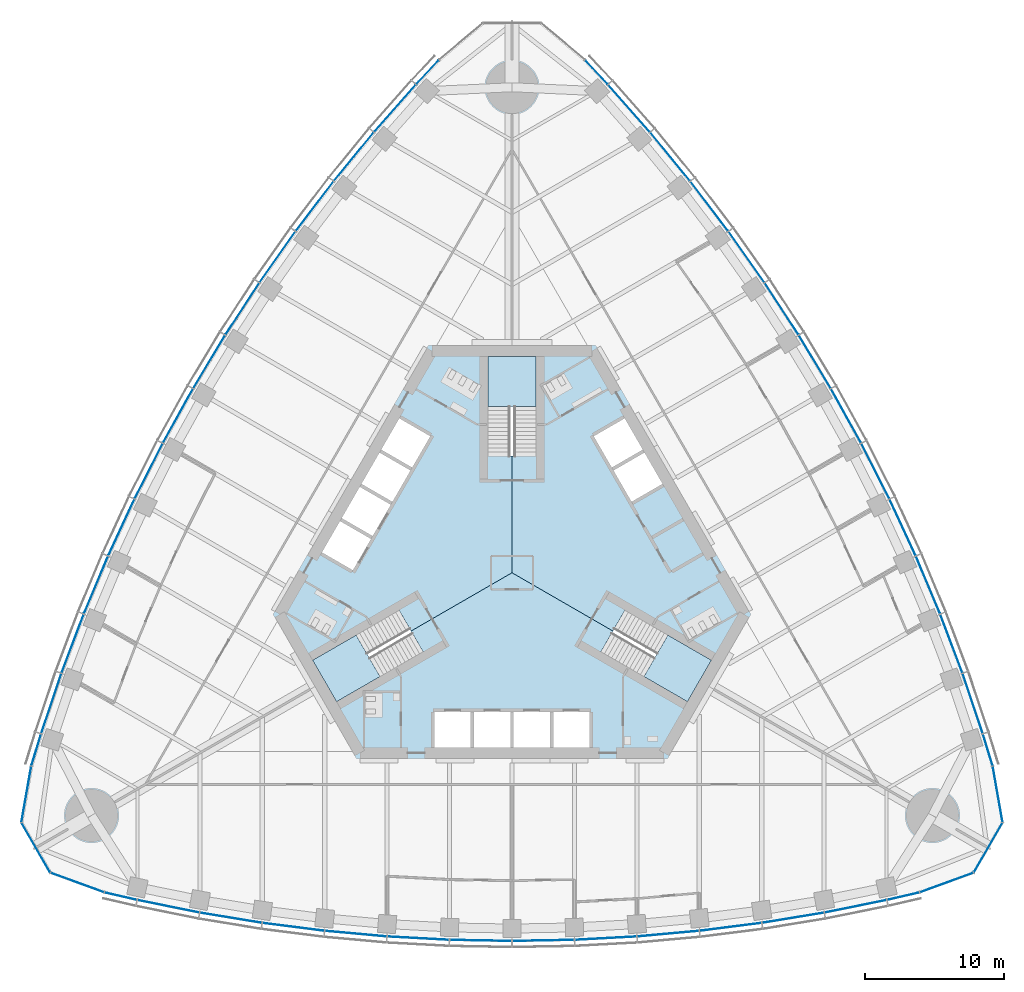
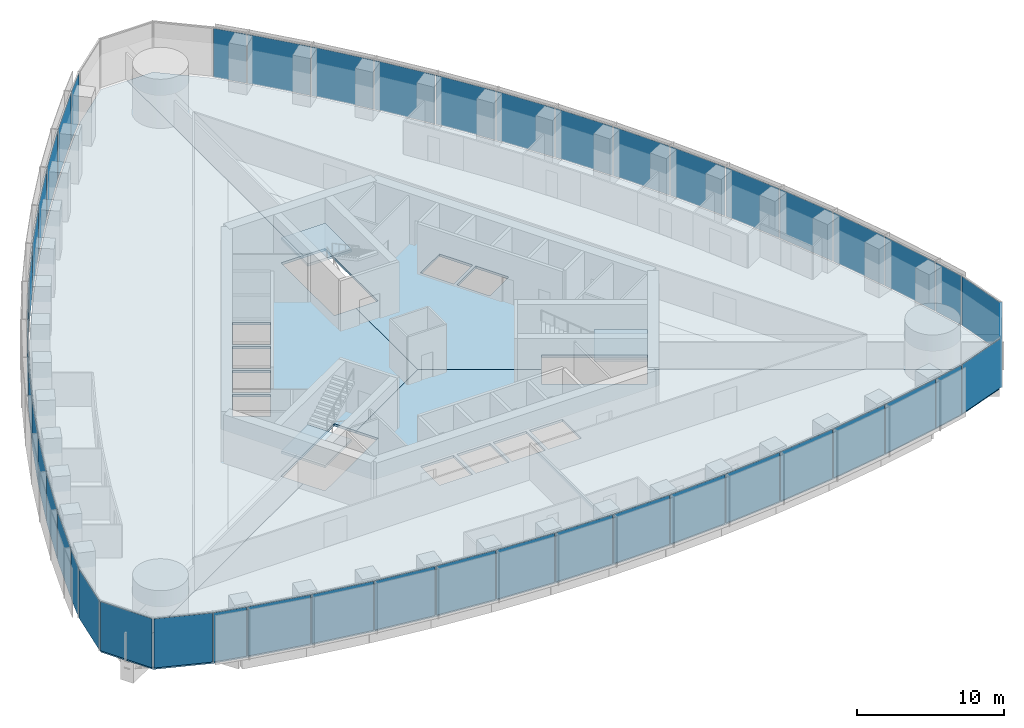
# One storey, part 10 of 19: 48 plates, 6 slabs, 8 elements without a shape of their own.
"""IFC4 building model written with IfcOpenShell, lengths in metres."""

from ifc_helpers import new_model, si_unit, direction, frame, origin, origin_2d, place, context, subcontext, project, spatial, polyline, rectangle, outline, extrude, material, layer, layer_set, type_object, element, aggregate, save


model = new_model("IFC4")

# Units and contexts
model_context = context("Model", 3, precision=1e-05, world=origin(), true_north=direction((0.0, 1.0)))
body_context = subcontext(model_context, "Body", "Model", "MODEL_VIEW")
ifc_project = project(units=[si_unit("LENGTHUNIT", "METRE"), si_unit("AREAUNIT", "SQUARE_METRE"), si_unit("VOLUMEUNIT", "CUBIC_METRE"), si_unit("PLANEANGLEUNIT", "RADIAN"), si_unit("MASSUNIT", "GRAM", prefix="KILO")], contexts=[model_context])

# Site, building, storey
site_placement = place(None, origin())
site = spatial("IfcSite", under=ifc_project, at=site_placement, CompositionType="ELEMENT")
building_placement = place(site_placement, origin())
building = spatial("IfcBuilding", under=site, at=building_placement, Name="Trefoil Bronze Tower", CompositionType="ELEMENT")
storey_placement = place(building_placement, frame((0.0, 0.0, 119.89990234375)))
storey = spatial("IfcBuildingStorey", under=building, at=storey_placement, Name="L27", CompositionType="ELEMENT", Elevation=119.89990234375)

# Curtain wall, plates
ifc_material_1 = material(Name="Tinted solar-control glass", Category="glass")
curtain_wall_type_1 = type_object("IfcCurtainWallType", Name="Bronze office curtain wall", PredefinedType="USERDEFINED", material=ifc_material_1)
curtain_wall_1_placement = place(storey_placement, origin())
curtain_wall_1 = element("IfcCurtainWall", 1, at=curtain_wall_1_placement, inside=storey, type_object=curtain_wall_type_1, Name="CW-A L27 F1", ObjectType="CURTAIN WALL", PredefinedType="USERDEFINED")
ifc_material_2 = material(Name="Tinted solar-control glass", Category="glass")
ifc_layer_1 = layer(ifc_material_2, 0.030029296875)
ifc_layer_set_1 = layer_set([ifc_layer_1], Name="Bronze office curtain wall glass panel")
plate_type_1 = type_object("IfcPlateType", Name="Bronze office curtain wall glass panel", PredefinedType="CURTAIN_PANEL", material=ifc_layer_set_1)
plate_1_placement = place(storey_placement, frame((-28.201416015625, -23.320068359375, 0.0), z_axis=(0.0, 0.0, 1.0), x_axis=(0.97420444715, -0.225667222151, 0.0)))
plate_1 = element("IfcPlate", 2, at=plate_1_placement, type_object=plate_type_1, Name="CW-A L27 F1 panel 1", PredefinedType="CURTAIN_PANEL", context=body_context, shape_type="SweptSolid", body=[
    extrude(rectangle(XDim=2.340087890625, YDim=0.030029296875, at=origin_2d()), origin(), (0.0, 0.0, 1.0), 4.080078125),
])
plate_2_placement = place(storey_placement, frame((-24.769775390625, -24.048828125, 0.0), z_axis=(0.0, 0.0, 1.0), x_axis=(0.980155155547, -0.198231861853, 0.0)))
plate_2 = element("IfcPlate", 3, at=plate_2_placement, type_object=plate_type_1, Name="CW-A L27 F1 panel 2", PredefinedType="CURTAIN_PANEL", context=body_context, shape_type="SweptSolid", body=[
    extrude(rectangle(XDim=4.51123046875, YDim=0.030029296875, at=origin_2d()), origin(), (0.0, 0.0, 1.0), 4.080078125),
])
plate_3_placement = place(storey_placement, frame((-20.26611328125, -24.87451171875, 0.0), z_axis=(0.0, 0.0, 1.0), x_axis=(0.986759655731, -0.162189339418, 0.0)))
plate_3 = element("IfcPlate", 4, at=plate_3_placement, type_object=plate_type_1, Name="CW-A L27 F1 panel 3", PredefinedType="CURTAIN_PANEL", context=body_context, shape_type="SweptSolid", body=[
    extrude(rectangle(XDim=4.48046875, YDim=0.030029296875, at=origin_2d()), origin(), (0.0, 0.0, 1.0), 4.080078125),
])
plate_4_placement = place(storey_placement, frame((-15.7626953125, -25.53076171875, 0.0), z_axis=(0.0, 0.0, 1.0), x_axis=(0.992011554286, -0.126147041833, 0.0)))
plate_4 = element("IfcPlate", 5, at=plate_4_placement, type_object=plate_type_1, Name="CW-A L27 F1 panel 4", PredefinedType="CURTAIN_PANEL", context=body_context, shape_type="SweptSolid", body=[
    extrude(rectangle(XDim=4.456298828125, YDim=0.030029296875, at=origin_2d()), origin(), (0.0, 0.0, 1.0), 4.080078125),
])
plate_5_placement = place(storey_placement, frame((-11.259033203125, -26.02099609375, 0.0), z_axis=(0.0, 0.0, 1.0), x_axis=(0.995932279146, -0.090104913044, 0.0)))
plate_5 = element("IfcPlate", 6, at=plate_5_placement, type_object=plate_type_1, Name="CW-A L27 F1 panel 5", PredefinedType="CURTAIN_PANEL", context=body_context, shape_type="SweptSolid", body=[
    extrude(rectangle(XDim=4.4384765625, YDim=0.030029296875, at=origin_2d()), origin(), (0.0, 0.0, 1.0), 4.080078125),
])
plate_6_placement = place(storey_placement, frame((-6.75537109375, -26.3466796875, 0.0), z_axis=(0.0, 0.0, 1.0), x_axis=(0.998537531923, -0.054062901701, 0.0)))
plate_6 = element("IfcPlate", 7, at=plate_6_placement, type_object=plate_type_1, Name="CW-A L27 F1 panel 6", PredefinedType="CURTAIN_PANEL", context=body_context, shape_type="SweptSolid", body=[
    extrude(rectangle(XDim=4.426513671875, YDim=0.030029296875, at=origin_2d()), origin(), (0.0, 0.0, 1.0), 4.080078125),
])
plate_7_placement = place(storey_placement, frame((-2.251708984375, -26.509033203125, 0.0), z_axis=(0.0, 0.0, 1.0), x_axis=(0.999837609322, -0.018020959612, 0.0)))
plate_7 = element("IfcPlate", 8, at=plate_7_placement, type_object=plate_type_1, Name="CW-A L27 F1 panel 7", PredefinedType="CURTAIN_PANEL", context=body_context, shape_type="SweptSolid", body=[
    extrude(rectangle(XDim=4.420654296875, YDim=0.030029296875, at=origin_2d()), origin(), (0.0, 0.0, 1.0), 4.080078125),
])
plate_8_placement = place(storey_placement, frame((2.251708984375, -26.509033203125, 0.0), z_axis=(0.0, 0.0, 1.0), x_axis=(0.999837609322, 0.018020959612, 0.0)))
plate_8 = element("IfcPlate", 9, at=plate_8_placement, type_object=plate_type_1, Name="CW-A L27 F1 panel 8", PredefinedType="CURTAIN_PANEL", context=body_context, shape_type="SweptSolid", body=[
    extrude(rectangle(XDim=4.420654296875, YDim=0.030029296875, at=origin_2d()), origin(), (0.0, 0.0, 1.0), 4.080078125),
])
plate_9_placement = place(storey_placement, frame((6.75537109375, -26.3466796875, 0.0), z_axis=(0.0, 0.0, 1.0), x_axis=(0.998537531923, 0.054062901701, 0.0)))
plate_9 = element("IfcPlate", 10, at=plate_9_placement, type_object=plate_type_1, Name="CW-A L27 F1 panel 9", PredefinedType="CURTAIN_PANEL", context=body_context, shape_type="SweptSolid", body=[
    extrude(rectangle(XDim=4.426513671875, YDim=0.030029296875, at=origin_2d()), origin(), (0.0, 0.0, 1.0), 4.080078125),
])
plate_10_placement = place(storey_placement, frame((11.259033203125, -26.02099609375, 0.0), z_axis=(0.0, 0.0, 1.0), x_axis=(0.995932279146, 0.090104913044, 0.0)))
plate_10 = element("IfcPlate", 11, at=plate_10_placement, type_object=plate_type_1, Name="CW-A L27 F1 panel 10", PredefinedType="CURTAIN_PANEL", context=body_context, shape_type="SweptSolid", body=[
    extrude(rectangle(XDim=4.4384765625, YDim=0.030029296875, at=origin_2d()), origin(), (0.0, 0.0, 1.0), 4.080078125),
])
plate_11_placement = place(storey_placement, frame((15.7626953125, -25.53076171875, 0.0), z_axis=(0.0, 0.0, 1.0), x_axis=(0.992011554286, 0.126147041833, 0.0)))
plate_11 = element("IfcPlate", 12, at=plate_11_placement, type_object=plate_type_1, Name="CW-A L27 F1 panel 11", PredefinedType="CURTAIN_PANEL", context=body_context, shape_type="SweptSolid", body=[
    extrude(rectangle(XDim=4.456298828125, YDim=0.030029296875, at=origin_2d()), origin(), (0.0, 0.0, 1.0), 4.080078125),
])
plate_12_placement = place(storey_placement, frame((20.26611328125, -24.87451171875, 0.0), z_axis=(0.0, 0.0, 1.0), x_axis=(0.986759655731, 0.162189339418, 0.0)))
plate_12 = element("IfcPlate", 13, at=plate_12_placement, type_object=plate_type_1, Name="CW-A L27 F1 panel 12", PredefinedType="CURTAIN_PANEL", context=body_context, shape_type="SweptSolid", body=[
    extrude(rectangle(XDim=4.48046875, YDim=0.030029296875, at=origin_2d()), origin(), (0.0, 0.0, 1.0), 4.080078125),
])
plate_13_placement = place(storey_placement, frame((24.769775390625, -24.048828125, 0.0), z_axis=(0.0, 0.0, 1.0), x_axis=(0.980155155547, 0.198231861853, 0.0)))
plate_13 = element("IfcPlate", 14, at=plate_13_placement, type_object=plate_type_1, Name="CW-A L27 F1 panel 13", PredefinedType="CURTAIN_PANEL", context=body_context, shape_type="SweptSolid", body=[
    extrude(rectangle(XDim=4.51123046875, YDim=0.030029296875, at=origin_2d()), origin(), (0.0, 0.0, 1.0), 4.080078125),
])
plate_14_placement = place(storey_placement, frame((28.201416015625, -23.320068359375, 0.0), z_axis=(0.0, 0.0, 1.0), x_axis=(0.97420444715, 0.225667222151, 0.0)))
plate_14 = element("IfcPlate", 15, at=plate_14_placement, type_object=plate_type_1, Name="CW-A L27 F1 panel 14", PredefinedType="CURTAIN_PANEL", context=body_context, shape_type="SweptSolid", body=[
    extrude(rectangle(XDim=2.340087890625, YDim=0.030029296875, at=origin_2d()), origin(), (0.0, 0.0, 1.0), 4.080078125),
])
aggregate(curtain_wall_1, [plate_1, plate_2, plate_3, plate_4, plate_5, plate_6, plate_7, plate_8, plate_9, plate_10, plate_11, plate_12, plate_13, plate_14])

curtain_wall_2_placement = place(storey_placement, origin())
curtain_wall_2 = element("IfcCurtainWall", 16, at=curtain_wall_2_placement, inside=storey, type_object=curtain_wall_type_1, Name="CW-A L27 F2", ObjectType="CURTAIN WALL", PredefinedType="USERDEFINED")
plate_15_placement = place(storey_placement, frame((34.296630859375, -12.762939453125, 0.0), z_axis=(0.0, 0.0, 1.0), x_axis=(-0.291668676391, 0.956519410787, 0.0)))
plate_15 = element("IfcPlate", 17, at=plate_15_placement, type_object=plate_type_1, Name="CW-A L27 F2 panel 1", PredefinedType="CURTAIN_PANEL", context=body_context, shape_type="SweptSolid", body=[
    extrude(rectangle(XDim=2.340087890625, YDim=0.030029296875, at=origin_2d()), origin(), (0.0, 0.0, 1.0), 4.080078125),
])
plate_16_placement = place(storey_placement, frame((33.2119140625, -9.4267578125, 0.0), z_axis=(0.0, 0.0, 1.0), x_axis=(-0.318403749569, 0.947955195281, 0.0)))
plate_16 = element("IfcPlate", 18, at=plate_16_placement, type_object=plate_type_1, Name="CW-A L27 F2 panel 2", PredefinedType="CURTAIN_PANEL", context=body_context, shape_type="SweptSolid", body=[
    extrude(rectangle(XDim=4.51123046875, YDim=0.030029296875, at=origin_2d()), origin(), (0.0, 0.0, 1.0), 4.080078125),
])
plate_17_placement = place(storey_placement, frame((31.675048828125, -5.11376953125, 0.0), z_axis=(0.0, 0.0, 1.0), x_axis=(-0.352919739707, 0.935653599002, 0.0)))
plate_17 = element("IfcPlate", 19, at=plate_17_placement, type_object=plate_type_1, Name="CW-A L27 F2 panel 3", PredefinedType="CURTAIN_PANEL", context=body_context, shape_type="SweptSolid", body=[
    extrude(rectangle(XDim=4.48046875, YDim=0.030029296875, at=origin_2d()), origin(), (0.0, 0.0, 1.0), 4.080078125),
])
plate_18_placement = place(storey_placement, frame((29.99169921875, -0.885498046875, 0.0), z_axis=(0.0, 0.0, 1.0), x_axis=(-0.386759234303, 0.922180727776, 0.0)))
plate_18 = element("IfcPlate", 20, at=plate_18_placement, type_object=plate_type_1, Name="CW-A L27 F2 panel 4", PredefinedType="CURTAIN_PANEL", context=body_context, shape_type="SweptSolid", body=[
    extrude(rectangle(XDim=4.456298828125, YDim=0.030029296875, at=origin_2d()), origin(), (0.0, 0.0, 1.0), 4.080078125),
])
plate_19_placement = place(storey_placement, frame((28.164306640625, 3.260009765625, 0.0), z_axis=(0.0, 0.0, 1.0), x_axis=(-0.419932995871, 0.907555110712, 0.0)))
plate_19 = element("IfcPlate", 21, at=plate_19_placement, type_object=plate_type_1, Name="CW-A L27 F2 panel 5", PredefinedType="CURTAIN_PANEL", context=body_context, shape_type="SweptSolid", body=[
    extrude(rectangle(XDim=4.4384765625, YDim=0.030029296875, at=origin_2d()), origin(), (0.0, 0.0, 1.0), 4.080078125),
])
plate_20_placement = place(storey_placement, frame((26.194580078125, 7.322998046875, 0.0), z_axis=(0.0, 0.0, 1.0), x_axis=(-0.452448919686, 0.891790320128, 0.0)))
plate_20 = element("IfcPlate", 22, at=plate_20_placement, type_object=plate_type_1, Name="CW-A L27 F2 panel 6", PredefinedType="CURTAIN_PANEL", context=body_context, shape_type="SweptSolid", body=[
    extrude(rectangle(XDim=4.426513671875, YDim=0.030029296875, at=origin_2d()), origin(), (0.0, 0.0, 1.0), 4.080078125),
])
plate_21_placement = place(storey_placement, frame((24.08349609375, 11.304443359375, 0.0), z_axis=(0.0, 0.0, 1.0), x_axis=(-0.484312195836, 0.874895249138, 0.0)))
plate_21 = element("IfcPlate", 23, at=plate_21_placement, type_object=plate_type_1, Name="CW-A L27 F2 panel 7", PredefinedType="CURTAIN_PANEL", context=body_context, shape_type="SweptSolid", body=[
    extrude(rectangle(XDim=4.420654296875, YDim=0.030029296875, at=origin_2d()), origin(), (0.0, 0.0, 1.0), 4.080078125),
])
plate_22_placement = place(storey_placement, frame((21.83154296875, 15.20458984375, 0.0), z_axis=(0.0, 0.0, 1.0), x_axis=(-0.515525413486, 0.856874289526, 0.0)))
plate_22 = element("IfcPlate", 24, at=plate_22_placement, type_object=plate_type_1, Name="CW-A L27 F2 panel 8", PredefinedType="CURTAIN_PANEL", context=body_context, shape_type="SweptSolid", body=[
    extrude(rectangle(XDim=4.420654296875, YDim=0.030029296875, at=origin_2d()), origin(), (0.0, 0.0, 1.0), 4.080078125),
])
plate_23_placement = place(storey_placement, frame((19.439208984375, 19.023681640625, 0.0), z_axis=(0.0, 0.0, 1.0), x_axis=(-0.546088612237, 0.837727418427, 0.0)))
plate_23 = element("IfcPlate", 25, at=plate_23_placement, type_object=plate_type_1, Name="CW-A L27 F2 panel 9", PredefinedType="CURTAIN_PANEL", context=body_context, shape_type="SweptSolid", body=[
    extrude(rectangle(XDim=4.426513671875, YDim=0.030029296875, at=origin_2d()), origin(), (0.0, 0.0, 1.0), 4.080078125),
])
plate_24_placement = place(storey_placement, frame((16.9052734375, 22.760986328125, 0.0), z_axis=(0.0, 0.0, 1.0), x_axis=(-0.575999283275, 0.817450197667, 0.0)))
plate_24 = element("IfcPlate", 26, at=plate_24_placement, type_object=plate_type_1, Name="CW-A L27 F2 panel 10", PredefinedType="CURTAIN_PANEL", context=body_context, shape_type="SweptSolid", body=[
    extrude(rectangle(XDim=4.4384765625, YDim=0.030029296875, at=origin_2d()), origin(), (0.0, 0.0, 1.0), 4.080078125),
])
plate_25_placement = place(storey_placement, frame((14.22900390625, 26.416259765625, 0.0), z_axis=(0.0, 0.0, 1.0), x_axis=(-0.605252319983, 0.796033685943, 0.0)))
plate_25 = element("IfcPlate", 27, at=plate_25_placement, type_object=plate_type_1, Name="CW-A L27 F2 panel 11", PredefinedType="CURTAIN_PANEL", context=body_context, shape_type="SweptSolid", body=[
    extrude(rectangle(XDim=4.456298828125, YDim=0.030029296875, at=origin_2d()), origin(), (0.0, 0.0, 1.0), 4.080078125),
])
plate_26_placement = place(storey_placement, frame((11.40869140625, 29.98828125, 0.0), z_axis=(0.0, 0.0, 1.0), x_axis=(-0.633839916024, 0.773464259584, 0.0)))
plate_26 = element("IfcPlate", 28, at=plate_26_placement, type_object=plate_type_1, Name="CW-A L27 F2 panel 12", PredefinedType="CURTAIN_PANEL", context=body_context, shape_type="SweptSolid", body=[
    extrude(rectangle(XDim=4.48046875, YDim=0.030029296875, at=origin_2d()), origin(), (0.0, 0.0, 1.0), 4.080078125),
])
plate_27_placement = place(storey_placement, frame((8.442138671875, 33.475830078125, 0.0), z_axis=(0.0, 0.0, 1.0), x_axis=(-0.661751405978, 0.749723333428, 0.0)))
plate_27 = element("IfcPlate", 29, at=plate_27_placement, type_object=plate_type_1, Name="CW-A L27 F2 panel 13", PredefinedType="CURTAIN_PANEL", context=body_context, shape_type="SweptSolid", body=[
    extrude(rectangle(XDim=4.51123046875, YDim=0.030029296875, at=origin_2d()), origin(), (0.0, 0.0, 1.0), 4.080078125),
])
plate_28_placement = place(storey_placement, frame((6.09521484375, 36.083251953125, 0.0), z_axis=(0.0, 0.0, 1.0), x_axis=(-0.682535770759, 0.730852188636, 0.0)))
plate_28 = element("IfcPlate", 30, at=plate_28_placement, type_object=plate_type_1, Name="CW-A L27 F2 panel 14", PredefinedType="CURTAIN_PANEL", context=body_context, shape_type="SweptSolid", body=[
    extrude(rectangle(XDim=2.340087890625, YDim=0.030029296875, at=origin_2d()), origin(), (0.0, 0.0, 1.0), 4.080078125),
])
aggregate(curtain_wall_2, [plate_15, plate_16, plate_17, plate_18, plate_19, plate_20, plate_21, plate_22, plate_23, plate_24, plate_25, plate_26, plate_27, plate_28])

curtain_wall_3_placement = place(storey_placement, origin())
curtain_wall_3 = element("IfcCurtainWall", 31, at=curtain_wall_3_placement, inside=storey, type_object=curtain_wall_type_1, Name="CW-A L27 F3", ObjectType="CURTAIN WALL", PredefinedType="USERDEFINED")
plate_29_placement = place(storey_placement, frame((-6.09521484375, 36.083251953125, 0.0), z_axis=(0.0, 0.0, 1.0), x_axis=(-0.682535770759, -0.730852188636, 0.0)))
plate_29 = element("IfcPlate", 32, at=plate_29_placement, type_object=plate_type_1, Name="CW-A L27 F3 panel 1", PredefinedType="CURTAIN_PANEL", context=body_context, shape_type="SweptSolid", body=[
    extrude(rectangle(XDim=2.340087890625, YDim=0.030029296875, at=origin_2d()), origin(), (0.0, 0.0, 1.0), 4.080078125),
])
plate_30_placement = place(storey_placement, frame((-8.442138671875, 33.475830078125, 0.0), z_axis=(0.0, 0.0, 1.0), x_axis=(-0.661751405978, -0.749723333428, 0.0)))
plate_30 = element("IfcPlate", 33, at=plate_30_placement, type_object=plate_type_1, Name="CW-A L27 F3 panel 2", PredefinedType="CURTAIN_PANEL", context=body_context, shape_type="SweptSolid", body=[
    extrude(rectangle(XDim=4.51123046875, YDim=0.030029296875, at=origin_2d()), origin(), (0.0, 0.0, 1.0), 4.080078125),
])
plate_31_placement = place(storey_placement, frame((-11.40869140625, 29.98828125, 0.0), z_axis=(0.0, 0.0, 1.0), x_axis=(-0.633839916024, -0.773464259584, 0.0)))
plate_31 = element("IfcPlate", 34, at=plate_31_placement, type_object=plate_type_1, Name="CW-A L27 F3 panel 3", PredefinedType="CURTAIN_PANEL", context=body_context, shape_type="SweptSolid", body=[
    extrude(rectangle(XDim=4.48046875, YDim=0.030029296875, at=origin_2d()), origin(), (0.0, 0.0, 1.0), 4.080078125),
])
plate_32_placement = place(storey_placement, frame((-14.22900390625, 26.416259765625, 0.0), z_axis=(0.0, 0.0, 1.0), x_axis=(-0.605252319983, -0.796033685943, 0.0)))
plate_32 = element("IfcPlate", 35, at=plate_32_placement, type_object=plate_type_1, Name="CW-A L27 F3 panel 4", PredefinedType="CURTAIN_PANEL", context=body_context, shape_type="SweptSolid", body=[
    extrude(rectangle(XDim=4.456298828125, YDim=0.030029296875, at=origin_2d()), origin(), (0.0, 0.0, 1.0), 4.080078125),
])
plate_33_placement = place(storey_placement, frame((-16.9052734375, 22.760986328125, 0.0), z_axis=(0.0, 0.0, 1.0), x_axis=(-0.575999283275, -0.817450197667, 0.0)))
plate_33 = element("IfcPlate", 36, at=plate_33_placement, type_object=plate_type_1, Name="CW-A L27 F3 panel 5", PredefinedType="CURTAIN_PANEL", context=body_context, shape_type="SweptSolid", body=[
    extrude(rectangle(XDim=4.4384765625, YDim=0.030029296875, at=origin_2d()), origin(), (0.0, 0.0, 1.0), 4.080078125),
])
plate_34_placement = place(storey_placement, frame((-19.439208984375, 19.023681640625, 0.0), z_axis=(0.0, 0.0, 1.0), x_axis=(-0.546088612237, -0.837727418427, 0.0)))
plate_34 = element("IfcPlate", 37, at=plate_34_placement, type_object=plate_type_1, Name="CW-A L27 F3 panel 6", PredefinedType="CURTAIN_PANEL", context=body_context, shape_type="SweptSolid", body=[
    extrude(rectangle(XDim=4.426513671875, YDim=0.030029296875, at=origin_2d()), origin(), (0.0, 0.0, 1.0), 4.080078125),
])
plate_35_placement = place(storey_placement, frame((-21.83154296875, 15.20458984375, 0.0), z_axis=(0.0, 0.0, 1.0), x_axis=(-0.515525413486, -0.856874289526, 0.0)))
plate_35 = element("IfcPlate", 38, at=plate_35_placement, type_object=plate_type_1, Name="CW-A L27 F3 panel 7", PredefinedType="CURTAIN_PANEL", context=body_context, shape_type="SweptSolid", body=[
    extrude(rectangle(XDim=4.420654296875, YDim=0.030029296875, at=origin_2d()), origin(), (0.0, 0.0, 1.0), 4.080078125),
])
plate_36_placement = place(storey_placement, frame((-24.08349609375, 11.304443359375, 0.0), z_axis=(0.0, 0.0, 1.0), x_axis=(-0.484312195836, -0.874895249138, 0.0)))
plate_36 = element("IfcPlate", 39, at=plate_36_placement, type_object=plate_type_1, Name="CW-A L27 F3 panel 8", PredefinedType="CURTAIN_PANEL", context=body_context, shape_type="SweptSolid", body=[
    extrude(rectangle(XDim=4.420654296875, YDim=0.030029296875, at=origin_2d()), origin(), (0.0, 0.0, 1.0), 4.080078125),
])
plate_37_placement = place(storey_placement, frame((-26.194580078125, 7.322998046875, 0.0), z_axis=(0.0, 0.0, 1.0), x_axis=(-0.452448919686, -0.891790320128, 0.0)))
plate_37 = element("IfcPlate", 40, at=plate_37_placement, type_object=plate_type_1, Name="CW-A L27 F3 panel 9", PredefinedType="CURTAIN_PANEL", context=body_context, shape_type="SweptSolid", body=[
    extrude(rectangle(XDim=4.426513671875, YDim=0.030029296875, at=origin_2d()), origin(), (0.0, 0.0, 1.0), 4.080078125),
])
plate_38_placement = place(storey_placement, frame((-28.164306640625, 3.260009765625, 0.0), z_axis=(0.0, 0.0, 1.0), x_axis=(-0.419932995871, -0.907555110712, 0.0)))
plate_38 = element("IfcPlate", 41, at=plate_38_placement, type_object=plate_type_1, Name="CW-A L27 F3 panel 10", PredefinedType="CURTAIN_PANEL", context=body_context, shape_type="SweptSolid", body=[
    extrude(rectangle(XDim=4.4384765625, YDim=0.030029296875, at=origin_2d()), origin(), (0.0, 0.0, 1.0), 4.080078125),
])
plate_39_placement = place(storey_placement, frame((-29.99169921875, -0.885498046875, 0.0), z_axis=(0.0, 0.0, 1.0), x_axis=(-0.386759234303, -0.922180727776, 0.0)))
plate_39 = element("IfcPlate", 42, at=plate_39_placement, type_object=plate_type_1, Name="CW-A L27 F3 panel 11", PredefinedType="CURTAIN_PANEL", context=body_context, shape_type="SweptSolid", body=[
    extrude(rectangle(XDim=4.456298828125, YDim=0.030029296875, at=origin_2d()), origin(), (0.0, 0.0, 1.0), 4.080078125),
])
plate_40_placement = place(storey_placement, frame((-31.675048828125, -5.11376953125, 0.0), z_axis=(0.0, 0.0, 1.0), x_axis=(-0.352919739707, -0.935653599002, 0.0)))
plate_40 = element("IfcPlate", 43, at=plate_40_placement, type_object=plate_type_1, Name="CW-A L27 F3 panel 12", PredefinedType="CURTAIN_PANEL", context=body_context, shape_type="SweptSolid", body=[
    extrude(rectangle(XDim=4.48046875, YDim=0.030029296875, at=origin_2d()), origin(), (0.0, 0.0, 1.0), 4.080078125),
])
plate_41_placement = place(storey_placement, frame((-33.2119140625, -9.4267578125, 0.0), z_axis=(0.0, 0.0, 1.0), x_axis=(-0.318403749569, -0.947955195281, 0.0)))
plate_41 = element("IfcPlate", 44, at=plate_41_placement, type_object=plate_type_1, Name="CW-A L27 F3 panel 13", PredefinedType="CURTAIN_PANEL", context=body_context, shape_type="SweptSolid", body=[
    extrude(rectangle(XDim=4.51123046875, YDim=0.030029296875, at=origin_2d()), origin(), (0.0, 0.0, 1.0), 4.080078125),
])
plate_42_placement = place(storey_placement, frame((-34.296630859375, -12.762939453125, 0.0), z_axis=(0.0, 0.0, 1.0), x_axis=(-0.291668676391, -0.956519410787, 0.0)))
plate_42 = element("IfcPlate", 45, at=plate_42_placement, type_object=plate_type_1, Name="CW-A L27 F3 panel 14", PredefinedType="CURTAIN_PANEL", context=body_context, shape_type="SweptSolid", body=[
    extrude(rectangle(XDim=2.340087890625, YDim=0.030029296875, at=origin_2d()), origin(), (0.0, 0.0, 1.0), 4.080078125),
])
aggregate(curtain_wall_3, [plate_29, plate_30, plate_31, plate_32, plate_33, plate_34, plate_35, plate_36, plate_37, plate_38, plate_39, plate_40, plate_41, plate_42])

ifc_material_3 = material(Name="Tinted solar-control glass", Category="glass")
curtain_wall_type_2 = type_object("IfcCurtainWallType", Name="Bronze rounded corner curtain wall", PredefinedType="USERDEFINED", material=ifc_material_3)
curtain_wall_4_placement = place(storey_placement, origin())
curtain_wall_4 = element("IfcCurtainWall", 46, at=curtain_wall_4_placement, inside=storey, type_object=curtain_wall_type_2, Name="CW-B L27 K1", ObjectType="CURTAIN WALL", PredefinedType="USERDEFINED")
ifc_material_4 = material(Name="Tinted solar-control glass", Category="glass")
ifc_layer_2 = layer(ifc_material_4, 0.030029296875)
ifc_layer_set_2 = layer_set([ifc_layer_2], Name="Bronze rounded corner curtain wall glass panel")
plate_type_2 = type_object("IfcPlateType", Name="Bronze rounded corner curtain wall glass panel", PredefinedType="CURTAIN_PANEL", material=ifc_layer_set_2)
plate_43_placement = place(storey_placement, frame((31.3203125, -22.341796875, 0.0), z_axis=(0.0, 0.0, 1.0), x_axis=(0.939692620786, 0.342020143326, 0.0)))
plate_43 = element("IfcPlate", 47, at=plate_43_placement, type_object=plate_type_2, Name="CW-B L27 K1 panel 1", PredefinedType="CURTAIN_PANEL", context=body_context, shape_type="SweptSolid", body=[
    extrude(rectangle(XDim=4.044189453125, YDim=0.030029296875, at=origin_2d()), origin(), (0.0, 0.0, 1.0), 4.080078125),
])
plate_44_placement = place(storey_placement, frame((34.3271484375, -19.81884765625, 0.0), z_axis=(0.0, 0.0, 1.0), x_axis=(0.5, 0.866025403784, 0.0)))
plate_44 = element("IfcPlate", 48, at=plate_44_placement, type_object=plate_type_2, Name="CW-B L27 K1 panel 2", PredefinedType="CURTAIN_PANEL", context=body_context, shape_type="SweptSolid", body=[
    extrude(rectangle(XDim=4.044189453125, YDim=0.030029296875, at=origin_2d()), origin(), (0.0, 0.0, 1.0), 4.080078125),
])
plate_45_placement = place(storey_placement, frame((35.0087890625, -15.953369140625, 0.0), z_axis=(0.0, 0.0, 1.0), x_axis=(-0.173648177667, 0.984807753012, 0.0)))
plate_45 = element("IfcPlate", 49, at=plate_45_placement, type_object=plate_type_2, Name="CW-B L27 K1 panel 3", PredefinedType="CURTAIN_PANEL", context=body_context, shape_type="SweptSolid", body=[
    extrude(rectangle(XDim=4.044189453125, YDim=0.030029296875, at=origin_2d()), origin(), (0.0, 0.0, 1.0), 4.080078125),
])
aggregate(curtain_wall_4, [plate_43, plate_44, plate_45])

curtain_wall_5_placement = place(storey_placement, origin())
curtain_wall_5 = element("IfcCurtainWall", 50, at=curtain_wall_5_placement, inside=storey, type_object=curtain_wall_type_2, Name="CW-B L27 K3", ObjectType="CURTAIN WALL", PredefinedType="USERDEFINED")
plate_46_placement = place(storey_placement, frame((-35.0087890625, -15.953369140625, 0.0), z_axis=(0.0, 0.0, 1.0), x_axis=(-0.173648177667, -0.984807753012, 0.0)))
plate_46 = element("IfcPlate", 51, at=plate_46_placement, type_object=plate_type_2, Name="CW-B L27 K3 panel 1", PredefinedType="CURTAIN_PANEL", context=body_context, shape_type="SweptSolid", body=[
    extrude(rectangle(XDim=4.044189453125, YDim=0.030029296875, at=origin_2d()), origin(), (0.0, 0.0, 1.0), 4.080078125),
])
plate_47_placement = place(storey_placement, frame((-34.3271484375, -19.81884765625, 0.0), z_axis=(0.0, 0.0, 1.0), x_axis=(0.5, -0.866025403784, 0.0)))
plate_47 = element("IfcPlate", 52, at=plate_47_placement, type_object=plate_type_2, Name="CW-B L27 K3 panel 2", PredefinedType="CURTAIN_PANEL", context=body_context, shape_type="SweptSolid", body=[
    extrude(rectangle(XDim=4.044189453125, YDim=0.030029296875, at=origin_2d()), origin(), (0.0, 0.0, 1.0), 4.080078125),
])
plate_48_placement = place(storey_placement, frame((-31.3203125, -22.341796875, 0.0), z_axis=(0.0, 0.0, 1.0), x_axis=(0.939692620786, -0.342020143326, 0.0)))
plate_48 = element("IfcPlate", 53, at=plate_48_placement, type_object=plate_type_2, Name="CW-B L27 K3 panel 3", PredefinedType="CURTAIN_PANEL", context=body_context, shape_type="SweptSolid", body=[
    extrude(rectangle(XDim=4.044189453125, YDim=0.030029296875, at=origin_2d()), origin(), (0.0, 0.0, 1.0), 4.080078125),
])
aggregate(curtain_wall_5, [plate_46, plate_47, plate_48])

# Slabs
ifc_material_5 = material(Name="Concrete B30", Category="concrete")
ifc_layer_3 = layer(ifc_material_5, 0.199951171875)
ifc_layer_set_3 = layer_set([ifc_layer_3], Name="Floor slab 200")
slab_type_1 = type_object("IfcSlabType", Name="Floor slab 200", PredefinedType="FLOOR", material=ifc_layer_set_3)
slab_1_placement = place(storey_placement, frame((0.0, 0.0, -0.199951171875)))
element("IfcSlab", 54, at=slab_1_placement, inside=storey, type_object=slab_type_1, Name="Floor slab L27 face 1", PredefinedType="FLOOR", context=body_context, shape_type="SweptSolid", body=[
    extrude(outline(polyline([(22.5, -24.406005859375), (18.0, -25.1455078125), (13.5, -25.7177734375), (9.0, -26.125), (4.5, -26.36865234375), (0.0, -26.44970703125), (-4.5, -26.36865234375), (-9.0, -26.125), (-13.5, -25.7177734375), (-18.0, -25.1455078125), (-22.5, -24.406005859375), (-27.0, -23.495849609375), (-29.357666015625, -22.94970703125), (-33.21435546875, -21.5458984375), (-34.240478515625, -19.768798828125), (-13.510009765625, -7.800048828125), (-12.6474609375, -9.2939453125), (-6.412109375, -5.69384765625), (-7.274658203125, -4.199951171875), (0.0, 0.0), (7.274658203125, -4.199951171875), (6.412109375, -5.69384765625), (12.6474609375, -9.2939453125), (13.510009765625, -7.800048828125), (34.240478515625, -19.768798828125), (33.21435546875, -21.5458984375), (29.357666015625, -22.94970703125), (27.0, -23.495849609375), (22.5, -24.406005859375)]), holes=[polyline([(-5.574951171875, -10.02490234375), (-2.97509765625, -10.02490234375), (-2.97509765625, -12.60009765625), (-5.574951171875, -12.60009765625), (-5.574951171875, -10.02490234375)]), polyline([(-2.72509765625, -10.02490234375), (-0.125, -10.02490234375), (-0.125, -12.60009765625), (-2.72509765625, -12.60009765625), (-2.72509765625, -10.02490234375)]), polyline([(0.125, -10.02490234375), (2.72509765625, -10.02490234375), (2.72509765625, -12.60009765625), (0.125, -12.60009765625), (0.125, -10.02490234375)]), polyline([(2.97509765625, -10.02490234375), (5.574951171875, -10.02490234375), (5.574951171875, -12.60009765625), (2.97509765625, -12.60009765625), (2.97509765625, -10.02490234375)])]), origin(), (0.0, 0.0, 1.0), 0.199951171875),
])
slab_2_placement = place(storey_placement, frame((0.0, 0.0, -0.199951171875)))
element("IfcSlab", 55, at=slab_2_placement, inside=storey, type_object=slab_type_1, Name="Floor slab L27 face 2", PredefinedType="FLOOR", context=body_context, shape_type="SweptSolid", body=[
    extrude(outline(polyline([(9.88623046875, 31.6884765625), (12.776611328125, 28.1611328125), (15.522216796875, 24.55029296875), (18.124755859375, 20.856689453125), (20.5859375, 17.081298828125), (22.906005859375, 13.224853515625), (25.0859375, 9.287109375), (27.124755859375, 5.268310546875), (29.022216796875, 1.16748046875), (30.776611328125, -3.015625), (32.38623046875, -7.28271484375), (33.847900390625, -11.634765625), (34.553955078125, -13.94970703125), (35.2666015625, -17.991455078125), (34.240478515625, -19.768798828125), (13.510009765625, -7.800048828125), (14.37255859375, -6.30615234375), (8.13720703125, -2.7060546875), (7.274658203125, -4.199951171875), (0.0, 0.0), (0.0, 8.39990234375), (1.72509765625, 8.39990234375), (1.72509765625, 15.60009765625), (0.0, 15.60009765625), (0.0, 39.53759765625), (2.052001953125, 39.53759765625), (5.196044921875, 36.8994140625), (6.847900390625, 35.130615234375), (9.88623046875, 31.6884765625)]), holes=[polyline([(8.619384765625, 5.120849609375), (7.3193359375, 7.372314453125), (9.54931640625, 8.659912109375), (10.849365234375, 6.408203125), (8.619384765625, 5.120849609375)]), polyline([(7.1943359375, 7.5888671875), (5.894287109375, 9.840576171875), (8.12451171875, 11.128173828125), (9.42431640625, 8.87646484375), (7.1943359375, 7.5888671875)])]), origin(), (0.0, 0.0, 1.0), 0.199951171875),
])
slab_3_placement = place(storey_placement, frame((0.0, 0.0, -0.199951171875)))
element("IfcSlab", 56, at=slab_3_placement, inside=storey, type_object=slab_type_1, Name="Floor slab L27 face 3", PredefinedType="FLOOR", context=body_context, shape_type="SweptSolid", body=[
    extrude(outline(polyline([(-32.38623046875, -7.28271484375), (-30.776611328125, -3.015625), (-29.022216796875, 1.16748046875), (-27.124755859375, 5.268310546875), (-25.0859375, 9.287109375), (-22.906005859375, 13.224853515625), (-20.5859375, 17.081298828125), (-18.124755859375, 20.856689453125), (-15.522216796875, 24.55029296875), (-12.776611328125, 28.1611328125), (-9.88623046875, 31.6884765625), (-6.847900390625, 35.130615234375), (-5.196044921875, 36.8994140625), (-2.052001953125, 39.53759765625), (0.0, 39.53759765625), (0.0, 15.60009765625), (-1.72509765625, 15.60009765625), (-1.72509765625, 8.39990234375), (0.0, 8.39990234375), (0.0, 0.0), (-7.274658203125, -4.199951171875), (-8.13720703125, -2.7060546875), (-14.37255859375, -6.30615234375), (-13.510009765625, -7.800048828125), (-34.240478515625, -19.768798828125), (-35.2666015625, -17.991455078125), (-34.553955078125, -13.94970703125), (-33.847900390625, -11.634765625), (-32.38623046875, -7.28271484375)]), holes=[polyline([(-5.894287109375, 9.840576171875), (-7.1943359375, 7.5888671875), (-9.42431640625, 8.87646484375), (-8.12451171875, 11.128173828125), (-5.894287109375, 9.840576171875)]), polyline([(-7.3193359375, 7.372314453125), (-8.619384765625, 5.120849609375), (-10.849365234375, 6.408203125), (-9.54931640625, 8.659912109375), (-7.3193359375, 7.372314453125)]), polyline([(-8.744384765625, 4.904296875), (-10.04443359375, 2.652587890625), (-12.2744140625, 3.940185546875), (-10.974365234375, 6.191650390625), (-8.744384765625, 4.904296875)]), polyline([(-10.16943359375, 2.43603515625), (-11.469482421875, 0.184326171875), (-13.699462890625, 1.471923828125), (-12.3994140625, 3.7236328125), (-10.16943359375, 2.43603515625)])]), origin(), (0.0, 0.0, 1.0), 0.199951171875),
])

# Stair, slab
ifc_material_6 = material(Name="Precast concrete B80", Category="concrete")
stair_type = type_object("IfcStairType", Name="Exit stair 26 risers", PredefinedType="HALF_TURN_STAIR", material=ifc_material_6)
stair_1_placement = place(storey_placement, origin())
stair_1 = element("IfcStair", 57, at=stair_1_placement, inside=storey, type_object=stair_type, Name="Stair ST1 L27", PredefinedType="HALF_TURN_STAIR")
ifc_material_7 = material(Name="Concrete B30", Category="concrete")
ifc_layer_4 = layer(ifc_material_7, 0.199951171875)
ifc_layer_set_4 = layer_set([ifc_layer_4], Name="Stair landing 200")
slab_type_2 = type_object("IfcSlabType", Name="Stair landing 200", PredefinedType="LANDING", material=ifc_layer_set_4)
slab_4_placement = place(storey_placement, frame((0.0, 0.0, 1.900146484375)))
slab_4 = element("IfcSlab", 58, at=slab_4_placement, type_object=slab_type_2, Name="ST1 landing 1", PredefinedType="LANDING", context=body_context, shape_type="SweptSolid", body=[
    extrude(outline(polyline([(9.512451171875, -7.48388671875), (12.6474609375, -9.2939453125), (14.37255859375, -6.30615234375), (11.237548828125, -4.49609375), (9.512451171875, -7.48388671875)])), origin(), (0.0, 0.0, 1.0), 0.199951171875),
])
aggregate(stair_1, [slab_4])

stair_2_placement = place(storey_placement, origin())
stair_2 = element("IfcStair", 59, at=stair_2_placement, inside=storey, type_object=stair_type, Name="Stair ST2 L27", PredefinedType="HALF_TURN_STAIR")
slab_5_placement = place(storey_placement, frame((0.0, 0.0, 1.900146484375)))
slab_5 = element("IfcSlab", 60, at=slab_5_placement, type_object=slab_type_2, Name="ST2 landing 1", PredefinedType="LANDING", context=body_context, shape_type="SweptSolid", body=[
    extrude(outline(polyline([(1.72509765625, 11.97998046875), (1.72509765625, 15.60009765625), (-1.72509765625, 15.60009765625), (-1.72509765625, 11.97998046875), (1.72509765625, 11.97998046875)])), origin(), (0.0, 0.0, 1.0), 0.199951171875),
])
aggregate(stair_2, [slab_5])

stair_3_placement = place(storey_placement, origin())
stair_3 = element("IfcStair", 61, at=stair_3_placement, inside=storey, type_object=stair_type, Name="Stair ST3 L27", PredefinedType="HALF_TURN_STAIR")
slab_6_placement = place(storey_placement, frame((0.0, 0.0, 1.900146484375)))
slab_6 = element("IfcSlab", 62, at=slab_6_placement, type_object=slab_type_2, Name="ST3 landing 1", PredefinedType="LANDING", context=body_context, shape_type="SweptSolid", body=[
    extrude(outline(polyline([(-11.237548828125, -4.49609375), (-14.37255859375, -6.30615234375), (-12.6474609375, -9.2939453125), (-9.512451171875, -7.48388671875), (-11.237548828125, -4.49609375)])), origin(), (0.0, 0.0, 1.0), 0.199951171875),
])
aggregate(stair_3, [slab_6])

save(model, "model.ifc")
